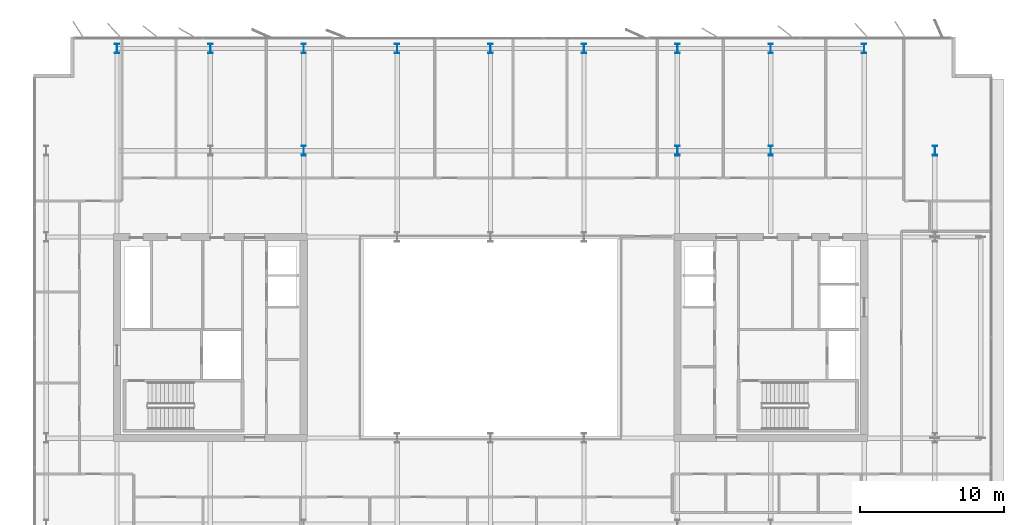
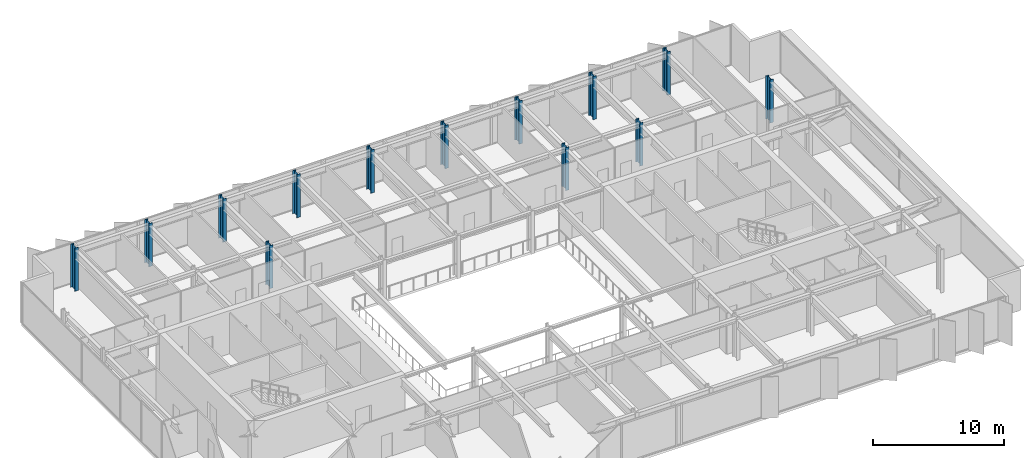
# One storey, part 3 of 20: 13 columns.
"""IFC4 building model written with IfcOpenShell, lengths in metres."""

from ifc_helpers import new_model, si_unit, direction, frame, origin, origin_2d, place, context, subcontext, project, spatial, i_section, extrude, material, material_profile, profile_set, type_object, element, save


model = new_model("IFC4")

# Units and contexts
model_context = context("Model", 3, precision=1e-05, world=origin(), true_north=direction((0.0, 1.0)))
body_context = subcontext(model_context, "Body", "Model", "MODEL_VIEW")
ifc_project = project(units=[si_unit("LENGTHUNIT", "METRE"), si_unit("AREAUNIT", "SQUARE_METRE"), si_unit("VOLUMEUNIT", "CUBIC_METRE"), si_unit("PLANEANGLEUNIT", "RADIAN"), si_unit("MASSUNIT", "GRAM", prefix="KILO")], contexts=[model_context])

# Site, building, storey
site_placement = place(None, origin())
site = spatial("IfcSite", under=ifc_project, at=site_placement, CompositionType="ELEMENT")
building_placement = place(site_placement, origin())
building = spatial("IfcBuilding", under=site, at=building_placement, Name="Putna Gate Headquarters", CompositionType="ELEMENT")
storey_placement = place(building_placement, frame((0.0, 0.0, 298.39990234375)))
storey = spatial("IfcBuildingStorey", under=building, at=storey_placement, Name="L75", CompositionType="ELEMENT", Elevation=298.39990234375)

# Columns
ifc_material = material(Name="Steel S460M", Category="steel")
ifc_material_profile_1 = material_profile(ifc_material, i_section(OverallWidth=0.304931640625, OverallDepth=0.66796875, WebThickness=0.02099609375, FlangeThickness=0.0400390625, at=origin_2d()), Name="Steel S460M")
ifc_profile_set_1 = profile_set([ifc_material_profile_1], Name="Steel S460M")
column_type_1 = type_object("IfcColumnType", Name="COL-STL-HEM650-EXT", PredefinedType="COLUMN", material=ifc_profile_set_1)
for number, where, z_axis, x_axis, name in (
    (1, (13.0, 46.1201171875, 0.0), (0.0, 0.0, 1.0), (1.0, 0.0, 0.0), "L75 Column CP-N13"),
    (2, (19.5, 46.1201171875, 0.0), (0.0, 0.0, 1.0), (1.0, 0.0, 0.0), "L75 Column CP-N19"),
    (3, (26.0, 46.1201171875, 0.0), (0.0, 0.0, 1.0), (1.0, 0.0, 0.0), "L75 Column CP-N26"),
    (4, (32.5, 46.1201171875, 0.0), (0.0, 0.0, 1.0), (1.0, 0.0, 0.0), "L75 Column CP-N32"),
    (5, (39.0, 46.1201171875, 0.0), (0.0, 0.0, 1.0), (1.0, 0.0, 0.0), "L75 Column CP-N39"),
    (6, (45.5, 46.1201171875, 0.0), (0.0, 0.0, 1.0), (1.0, 0.0, 0.0), "L75 Column CP-N45"),
    (7, (52.0, 46.1201171875, 0.0), (0.0, 0.0, 1.0), (1.0, 0.0, 0.0), "L75 Column CP-N52"),
    (8, (58.5, 46.1201171875, 0.0), (0.0, 0.0, 1.0), (1.0, 0.0, 0.0), "L75 Column CP-N58"),
    (9, (65.0, 46.1201171875, 0.0), (0.0, 0.0, 1.0), (1.0, 0.0, 0.0), "L75 Column CP-N65"),
    (10, (69.919921875, 39.0, 0.0), (0.0, 0.0, 1.0), (1.0, 0.0, 0.0), "L75 Column CP-E39"),
):
    element("IfcColumn", number, at=place(storey_placement, frame(where, z_axis=z_axis, x_axis=x_axis)), inside=storey, type_object=column_type_1, Name=name, PredefinedType="COLUMN", context=body_context, shape_type="SweptSolid", body=[
        extrude(i_section(OverallWidth=0.304931640625, OverallDepth=0.66796875, WebThickness=0.02099609375, FlangeThickness=0.0400390625, at=origin_2d()), origin(), (0.0, 0.0, 1.0), 4.0),
    ])
ifc_material_profile_2 = material_profile(ifc_material, i_section(OverallWidth=0.304931640625, OverallDepth=0.66796875, WebThickness=0.02099609375, FlangeThickness=0.0400390625, at=origin_2d()), Name="Steel S460M")
ifc_profile_set_2 = profile_set([ifc_material_profile_2], Name="Steel S460M")
column_type_2 = type_object("IfcColumnType", Name="COL-STL-HEM650-INT", PredefinedType="COLUMN", material=ifc_profile_set_2)
for number, where, z_axis, x_axis, name in (
    (11, (58.5, 39.0, 0.0), (0.0, 0.0, 1.0), (1.0, 0.0, 0.0), "L75 Column CSI-EN"),
    (12, (26.0, 39.0, 0.0), (0.0, 0.0, 1.0), (1.0, 0.0, 0.0), "L75 Column CAP-WN"),
    (13, (52.0, 39.0, 0.0), (0.0, 0.0, 1.0), (1.0, 0.0, 0.0), "L75 Column CAP-EN"),
):
    element("IfcColumn", number, at=place(storey_placement, frame(where, z_axis=z_axis, x_axis=x_axis)), inside=storey, type_object=column_type_2, Name=name, PredefinedType="COLUMN", context=body_context, shape_type="SweptSolid", body=[
        extrude(i_section(OverallWidth=0.304931640625, OverallDepth=0.66796875, WebThickness=0.02099609375, FlangeThickness=0.0400390625, at=origin_2d()), origin(), (0.0, 0.0, 1.0), 4.0),
    ])

save(model, "model.ifc")
